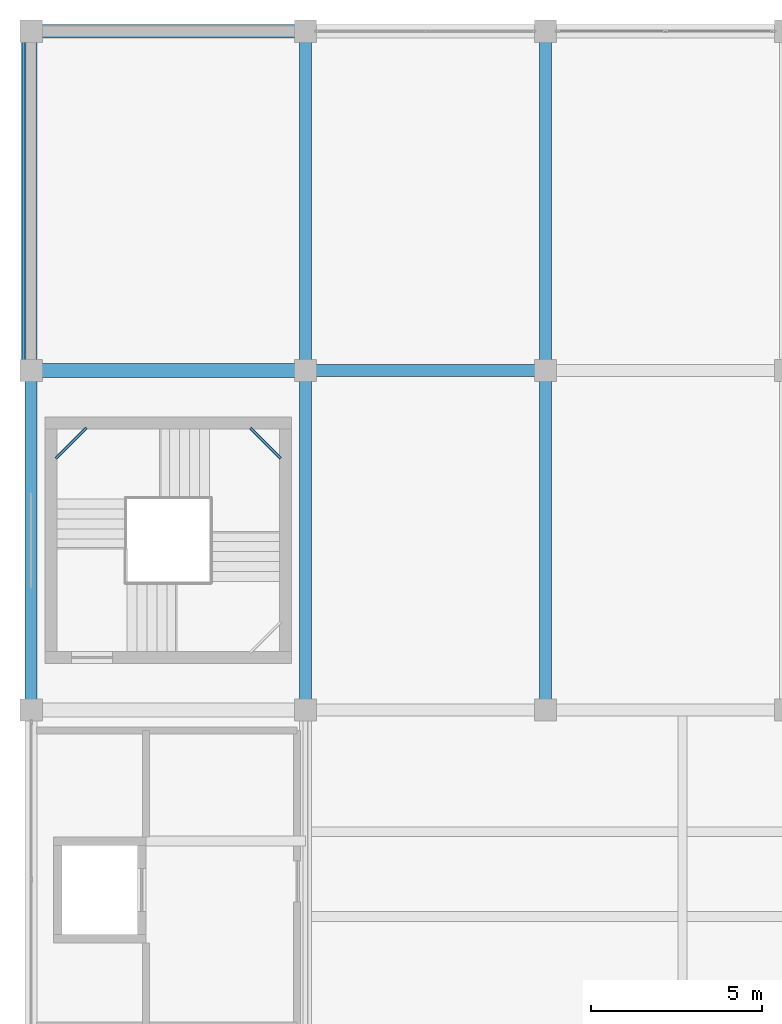
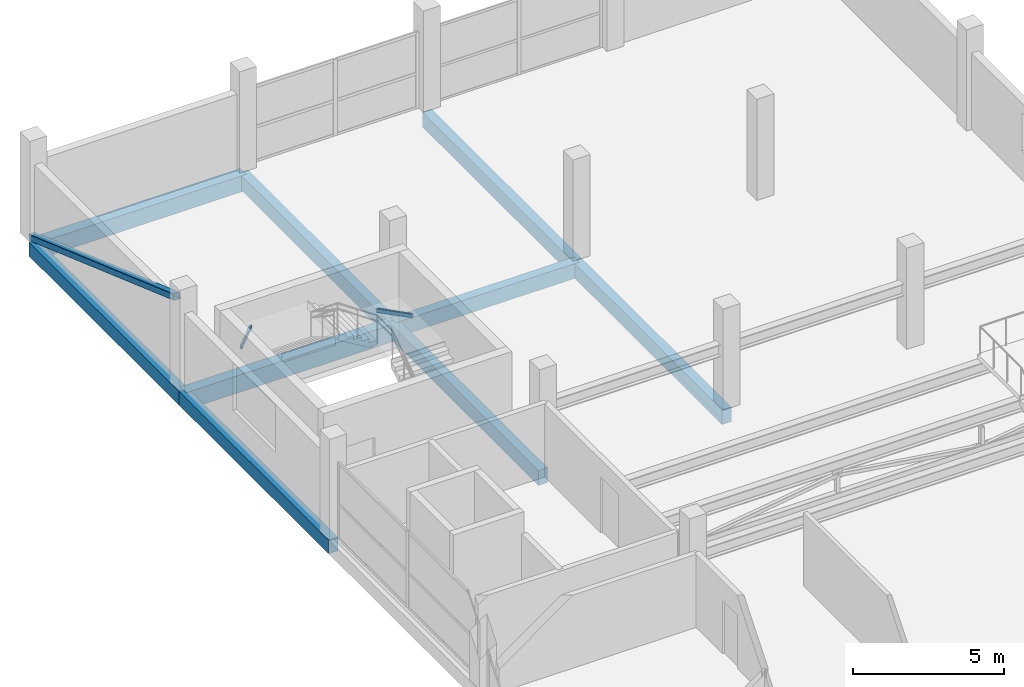
# One storey, part 44 of 70: 11 beams, 1 member.
"""IFC4 building model written with IfcOpenShell, lengths in metres."""

from ifc_helpers import new_model, si_unit, direction, frame, origin, origin_2d, place, context, subcontext, project, spatial, rectangle, hollow_rectangle, extrude, material, material_profile, profile_set, type_object, element, save


model = new_model("IFC4")

# Units and contexts
model_context = context("Model", 3, precision=1e-05, world=origin(), true_north=direction((0.0, 1.0)))
body_context = subcontext(model_context, "Body", "Model", "MODEL_VIEW")
ifc_project = project(units=[si_unit("LENGTHUNIT", "METRE"), si_unit("AREAUNIT", "SQUARE_METRE"), si_unit("VOLUMEUNIT", "CUBIC_METRE"), si_unit("PLANEANGLEUNIT", "RADIAN"), si_unit("MASSUNIT", "GRAM", prefix="KILO")], contexts=[model_context])

# Site, building, storey
site_placement = place(None, origin())
site = spatial("IfcSite", under=ifc_project, at=site_placement, CompositionType="ELEMENT")
building_placement = place(site_placement, origin())
building = spatial("IfcBuilding", under=site, at=building_placement, Name="Sillaruma Civic Art Gallery", CompositionType="ELEMENT")
storey_placement = place(building_placement, frame((0.0, 0.0, 66.300048828125)))
storey = spatial("IfcBuildingStorey", under=building, at=storey_placement, Name="L13", CompositionType="ELEMENT", Elevation=66.300048828125)

# Beams
ifc_material_1 = material(Name="Concrete H35 (35 MPa)", Category="concrete")
ifc_material_profile_1 = material_profile(ifc_material_1, rectangle(XDim=0.35009765625, YDim=0.60009765625, at=origin_2d()), Name="RCB350x600")
ifc_profile_set_1 = profile_set([ifc_material_profile_1], Name="Concrete H35 (35 MPa)")
beam_type_1 = type_object("IfcBeamType", Name="BM-BEAM-RCB350x600", PredefinedType="BEAM", material=ifc_profile_set_1)
beam_1_placement = place(storey_placement, frame((70.0, 89.10009765625, -0.530029296875), z_axis=(1.0, 0.0, 0.0), x_axis=(0.0, 1.0, 0.0)))
element("IfcBeam", 1, at=beam_1_placement, inside=storey, type_object=beam_type_1, Name="Beam BM-06 (L12:10:G-H)", PredefinedType="BEAM", context=body_context, shape_type="SweptSolid", body=[
    extrude(rectangle(XDim=0.35009765625, YDim=0.60009765625, at=origin_2d()), origin(), (0.0, 0.0, 1.0), 7.0),
])
beam_2_placement = place(storey_placement, frame((70.0, 79.199951171875, -0.530029296875), z_axis=(0.0, 1.0, 0.0), x_axis=(-1.0, 0.0, 0.0)))
element("IfcBeam", 2, at=beam_2_placement, inside=storey, type_object=beam_type_1, Name="Beam BM-06 (L12:G:9-10)", PredefinedType="BEAM", context=body_context, shape_type="SweptSolid", body=[
    extrude(rectangle(XDim=0.35009765625, YDim=0.60009765625, at=origin_2d()), origin(), (0.0, 0.0, 1.0), 9.900146484375),
])
beam_3_placement = place(storey_placement, frame((70.0, 89.10009765625, -0.530029296875), z_axis=(0.0, 1.0, 0.0), x_axis=(-1.0, 0.0, 0.0)))
element("IfcBeam", 3, at=beam_3_placement, inside=storey, type_object=beam_type_1, Name="Beam BM-06 (L12:G:10-11)", PredefinedType="BEAM", context=body_context, shape_type="SweptSolid", body=[
    extrude(rectangle(XDim=0.35009765625, YDim=0.60009765625, at=origin_2d()), origin(), (0.0, 0.0, 1.0), 9.89990234375),
])
beam_4_placement = place(storey_placement, frame((77.0, 79.199951171875, -0.530029296875), z_axis=(0.0, 1.0, 0.0), x_axis=(-1.0, 0.0, 0.0)))
element("IfcBeam", 4, at=beam_4_placement, inside=storey, type_object=beam_type_1, Name="Beam BM-06 (L12:H:9-10)", PredefinedType="BEAM", context=body_context, shape_type="SweptSolid", body=[
    extrude(rectangle(XDim=0.35009765625, YDim=0.60009765625, at=origin_2d()), origin(), (0.0, 0.0, 1.0), 9.900146484375),
])
beam_5_placement = place(storey_placement, frame((77.0, 89.10009765625, -0.530029296875), z_axis=(0.0, 1.0, 0.0), x_axis=(-1.0, 0.0, 0.0)))
element("IfcBeam", 5, at=beam_5_placement, inside=storey, type_object=beam_type_1, Name="Beam BM-06 (L12:H:10-11)", PredefinedType="BEAM", context=body_context, shape_type="SweptSolid", body=[
    extrude(rectangle(XDim=0.35009765625, YDim=0.60009765625, at=origin_2d()), origin(), (0.0, 0.0, 1.0), 9.89990234375),
])
ifc_material_profile_2 = material_profile(ifc_material_1, rectangle(XDim=0.39990234375, YDim=0.699951171875, at=origin_2d()), Name="RCB400x700")
ifc_profile_set_2 = profile_set([ifc_material_profile_2], Name="Concrete H35 (35 MPa)")
beam_type_2 = type_object("IfcBeamType", Name="BM-BEAM-RCB400x700", PredefinedType="BEAM", material=ifc_profile_set_2)
beam_6_placement = place(storey_placement, frame((62.0, 89.10009765625, -0.580078125), z_axis=(1.0, 0.0, 0.0), x_axis=(0.0, 1.0, 0.0)))
element("IfcBeam", 6, at=beam_6_placement, inside=storey, type_object=beam_type_2, Name="Beam BM-04 (L12:10:F-G)", PredefinedType="BEAM", context=body_context, shape_type="SweptSolid", body=[
    extrude(rectangle(XDim=0.39990234375, YDim=0.699951171875, at=origin_2d()), origin(), (0.0, 0.0, 1.0), 8.0),
])
ifc_material_2 = material(Name="Structural Steel ASTM A500 Gr.C", Category="steel")
ifc_material_profile_3 = material_profile(ifc_material_2, hollow_rectangle(XDim=0.080078125, YDim=0.159912109375, WallThickness=0.008056640625, InnerFilletRadius=0.008056640625, OuterFilletRadius=0.01611328125, at=origin_2d()), Name="HSS160x80x8")
ifc_profile_set_3 = profile_set([ifc_material_profile_3], Name="Structural Steel ASTM A500 Gr.C")
beam_type_3 = type_object("IfcBeamType", Name="BM-LND-HSS160", PredefinedType="BEAM", material=ifc_profile_set_3)
for number, where, z_axis, x_axis, name in (
    (7, (68.389892578125, 87.429931640625, 1.760009765625), (0.707203758046, -0.707009791025, 0.0), (0.707009791025, 0.707203758046, 0.0), "Stair Corner Landing Trimmer Beam (ST-02-L13-2)"),
    (8, (62.719970703125, 86.5400390625, 2.780029296875), (0.707203758046, 0.707009791025, 0.0), (-0.707009791025, 0.707203758046, 0.0), "Stair Corner Landing Trimmer Beam (ST-02-L13-3)"),
):
    element("IfcBeam", number, at=place(storey_placement, frame(where, z_axis=z_axis, x_axis=x_axis)), inside=storey, type_object=beam_type_3, Name=name, PredefinedType="BEAM", context=body_context, shape_type="SweptSolid", body=[
        extrude(hollow_rectangle(XDim=0.080078125, YDim=0.159912109375, WallThickness=0.008056640625, InnerFilletRadius=0.008056640625, OuterFilletRadius=0.01611328125, at=origin_2d()), origin(), (0.0, 0.0, 1.0), 1.2587890625),
    ])
ifc_material_profile_4 = material_profile(ifc_material_1, rectangle(XDim=0.35009765625, YDim=0.550048828125, at=origin_2d()), Name="RCB350x550")
ifc_profile_set_4 = profile_set([ifc_material_profile_4], Name="Concrete H35 (35 MPa)")
beam_type_4 = type_object("IfcBeamType", Name="BM-SPANDREL-RCB350x550", PredefinedType="SPANDREL", material=ifc_profile_set_4)
beam_7_placement = place(storey_placement, frame((62.0, 79.199951171875, -0.505126953125), z_axis=(0.0, 1.0, 0.0), x_axis=(-1.0, 0.0, 0.0)))
element("IfcBeam", 9, at=beam_7_placement, inside=storey, type_object=beam_type_4, Name="Beam BS-04 (L12:F:9-10)", PredefinedType="SPANDREL", context=body_context, shape_type="SweptSolid", body=[
    extrude(rectangle(XDim=0.35009765625, YDim=0.550048828125, at=origin_2d()), origin(), (0.0, 0.0, 1.0), 9.900146484375),
])
beam_8_placement = place(storey_placement, frame((62.0, 89.10009765625, -0.505126953125), z_axis=(0.0, 1.0, 0.0), x_axis=(-1.0, 0.0, 0.0)))
element("IfcBeam", 10, at=beam_8_placement, inside=storey, type_object=beam_type_4, Name="Beam BS-04 (L12:F:10-11)", PredefinedType="SPANDREL", context=body_context, shape_type="SweptSolid", body=[
    extrude(rectangle(XDim=0.35009765625, YDim=0.550048828125, at=origin_2d()), origin(), (0.0, 0.0, 1.0), 9.89990234375),
])
ifc_material_profile_5 = material_profile(ifc_material_1, rectangle(XDim=0.39990234375, YDim=0.64990234375, at=origin_2d()), Name="RCB400x650")
ifc_profile_set_5 = profile_set([ifc_material_profile_5], Name="Concrete H35 (35 MPa)")
beam_type_5 = type_object("IfcBeamType", Name="BM-SPANDREL-RCB400x650", PredefinedType="SPANDREL", material=ifc_profile_set_5)
beam_9_placement = place(storey_placement, frame((62.0, 99.0, -0.554931640625), z_axis=(1.0, 0.0, 0.0), x_axis=(0.0, 1.0, 0.0)))
element("IfcBeam", 11, at=beam_9_placement, inside=storey, type_object=beam_type_5, Name="Beam BS-02 (L12:11:F-G)", PredefinedType="SPANDREL", context=body_context, shape_type="SweptSolid", body=[
    extrude(rectangle(XDim=0.39990234375, YDim=0.64990234375, at=origin_2d()), origin(), (0.0, 0.0, 1.0), 8.0),
])

# Member
ifc_material_profile_6 = material_profile(ifc_material_2, hollow_rectangle(XDim=0.25, YDim=0.25, WallThickness=0.012451171875, InnerFilletRadius=0.012451171875, OuterFilletRadius=0.02490234375, at=origin_2d()), Name="HSS250x250x12.5")
ifc_profile_set_6 = profile_set([ifc_material_profile_6], Name="Structural Steel ASTM A500 Gr.C")
member_type = type_object("IfcMemberType", Name="MEM-MEGA-BRACE", PredefinedType="BRACE", material=ifc_profile_set_6)
member_placement = place(storey_placement, frame((61.85009765625, 98.820068359375, 0.099853515625), z_axis=(0.0, -0.942584834579, 0.33396680916), x_axis=(1.0, 0.0, 0.0)))
element("IfcMember", 12, at=member_placement, inside=storey, type_object=member_type, Name="Exterior Expressed Gallery Seismic Diagonal Brace (L13-WN)", PredefinedType="BRACE", context=body_context, shape_type="SweptSolid", body=[
    extrude(hollow_rectangle(XDim=0.25, YDim=0.25, WallThickness=0.012451171875, InnerFilletRadius=0.012451171875, OuterFilletRadius=0.02490234375, at=origin_2d()), origin(), (0.0, 0.0, 1.0), 10.12109375),
])

save(model, "model.ifc")
